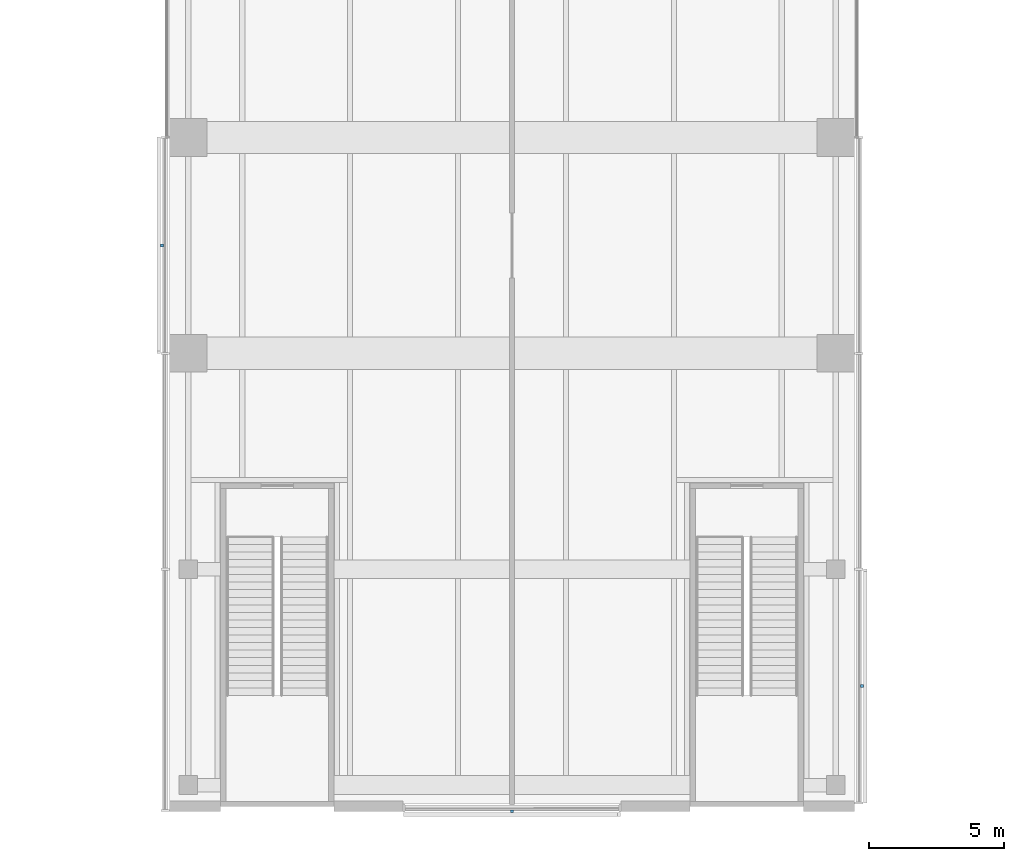
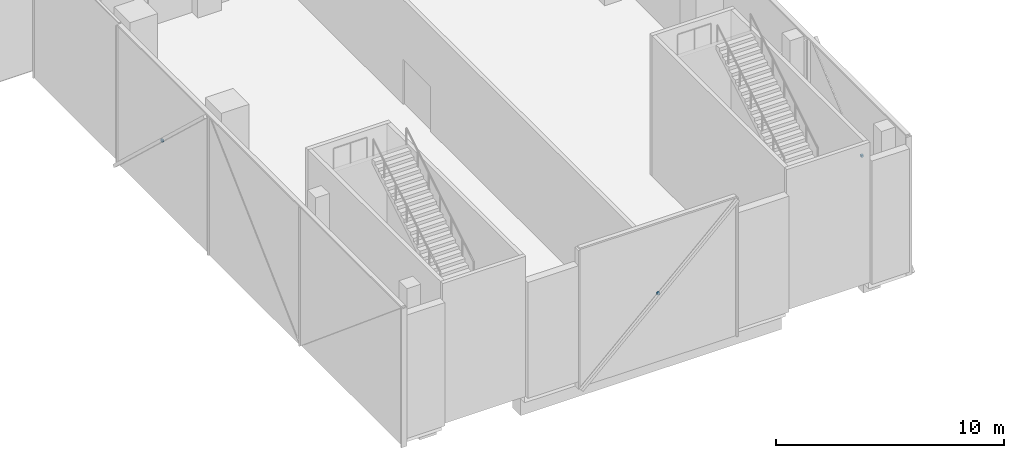
# One storey, part 20 of 25: 3 discrete accessories.
"""IFC4 building model written with IfcOpenShell, lengths in metres."""

from ifc_helpers import new_model, si_unit, direction, frame, origin, origin_2d, place, context, subcontext, project, spatial, rectangle, extrude, material, type_object, element, save


model = new_model("IFC4")

# Units and contexts
model_context = context("Model", 3, precision=1e-05, world=origin(), true_north=direction((0.0, 1.0)))
body_context = subcontext(model_context, "Body", "Model", "MODEL_VIEW")
ifc_project = project(units=[si_unit("LENGTHUNIT", "METRE"), si_unit("AREAUNIT", "SQUARE_METRE"), si_unit("VOLUMEUNIT", "CUBIC_METRE"), si_unit("PLANEANGLEUNIT", "RADIAN"), si_unit("MASSUNIT", "GRAM", prefix="KILO")], contexts=[model_context])

# Site, building, storey
site_placement = place(None, origin())
site = spatial("IfcSite", under=ifc_project, at=site_placement, CompositionType="ELEMENT")
building_placement = place(site_placement, origin())
building = spatial("IfcBuilding", under=site, at=building_placement, Name="Crosswind Convention Tower", CompositionType="ELEMENT")
storey_placement = place(building_placement, frame((0.0, 0.0, 34.0)))
storey = spatial("IfcBuildingStorey", under=building, at=storey_placement, Name="L04", CompositionType="ELEMENT", Elevation=34.0)

# Discrete accessories
ifc_material = material(Name="Stainless steel", Category="steel")
discrete_accessory_type = type_object("IfcDiscreteAccessoryType", Name="BAGUETTE BRACKET BK1", PredefinedType="BRACKET", material=ifc_material)
for number, where, z_axis, x_axis, name in (
    (1, (112.02587890625, 76.0, 3.25), (0.0, 0.0, 1.0), (0.0, -1.0, 0.0), "BK1 baguette bracket"),
    (2, (125.0, 55.02587890625, 3.25), (0.0, 0.0, 1.0), (1.0, 0.0, 0.0), "BK1 baguette bracket"),
    (3, (137.97412109375, 59.669921875, 3.25), (0.0, 0.0, 1.0), (0.0, 1.0, 0.0), "BK1 baguette bracket"),
):
    element("IfcDiscreteAccessory", number, at=place(storey_placement, frame(where, z_axis=z_axis, x_axis=x_axis)), inside=storey, type_object=discrete_accessory_type, Name=name, PredefinedType="BRACKET", context=body_context, shape_type="SweptSolid", body=[
        extrude(rectangle(XDim=0.1201171875, YDim=0.10009765625, at=origin_2d()), origin(), (0.0, 0.0, 1.0), 0.1201171875),
    ])

save(model, "model.ifc")
